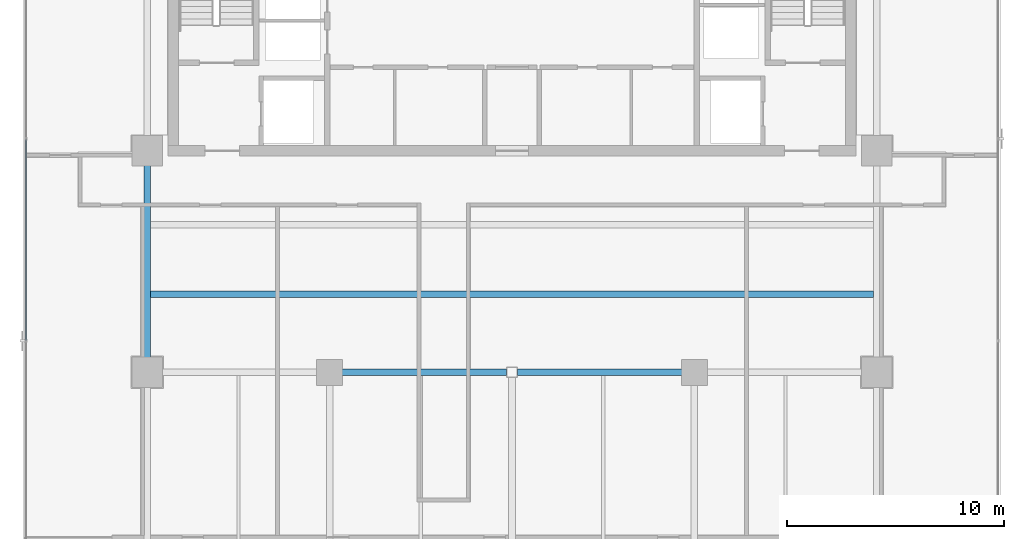
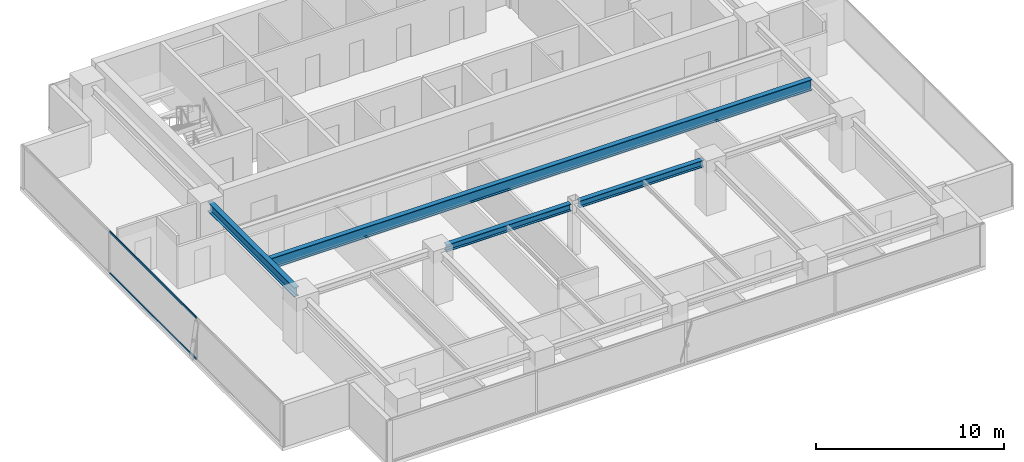
# One storey, part 8 of 26: 4 beams, 2 members, 1 element without a shape of its own.
"""IFC4 building model written with IfcOpenShell, lengths in metres."""

from ifc_helpers import new_model, si_unit, direction, frame, origin, origin_2d, place, context, subcontext, project, spatial, hollow_rectangle, i_section, extrude, source, transform, mapped, material, layer, layer_set, material_profile, profile_set, type_object, element, aggregate, save


model = new_model("IFC4")

# Units and contexts
model_context = context("Model", 3, precision=1e-05, world=origin(), true_north=direction((0.0, 1.0)))
body_context = subcontext(model_context, "Body", "Model", "MODEL_VIEW")
ifc_project = project(units=[si_unit("LENGTHUNIT", "METRE"), si_unit("AREAUNIT", "SQUARE_METRE"), si_unit("VOLUMEUNIT", "CUBIC_METRE"), si_unit("PLANEANGLEUNIT", "RADIAN"), si_unit("MASSUNIT", "GRAM", prefix="KILO")], contexts=[model_context])

# Site, building, storey
site_placement = place(None, origin())
site = spatial("IfcSite", under=ifc_project, at=site_placement, CompositionType="ELEMENT")
building_placement = place(site_placement, origin())
building = spatial("IfcBuilding", under=site, at=building_placement, Name="Sumidabori Civic Tower", CompositionType="ELEMENT")
storey_placement = place(building_placement, frame((0.0, 0.0, 261.199951171875)))
storey = spatial("IfcBuildingStorey", under=building, at=storey_placement, Name="L68", CompositionType="ELEMENT", Elevation=261.199951171875)

# Beams
ifc_material_1 = material(Name="Steel SN490", Category="steel")
ifc_material_profile_1 = material_profile(ifc_material_1, i_section(OverallWidth=0.300048828125, OverallDepth=0.60009765625, WebThickness=0.015380859375, FlangeThickness=0.030029296875, at=origin_2d()), Name="HE 600 B")
ifc_profile_set_1 = profile_set([ifc_material_profile_1], Name="Steel SN490")
beam_type_1 = type_object("IfcBeamType", Name="BM-GIRD-600", PredefinedType="BEAM", material=ifc_profile_set_1)
shared_shape_1 = source(origin(), body_context, "Body", "SweptSolid", [
    extrude(i_section(OverallWidth=0.300048828125, OverallDepth=0.60009765625, WebThickness=0.015380859375, FlangeThickness=0.030029296875, at=origin_2d()), origin(), (0.0, 0.0, 1.0), 9.239990234375),
])
beam_1_placement = place(storey_placement, frame((-16.800048828125, 0.47998046875, 3.070068359375), z_axis=(0.0, 1.0, 0.0), x_axis=(-1.0, 0.0, 0.0)))
element("IfcBeam", 1, at=beam_1_placement, inside=storey, type_object=beam_type_1, Name="Primary Girder L68 GY-10", PredefinedType="BEAM", context=body_context, shape_type="MappedRepresentation", body=[
    mapped(shared_shape_1, transform((0.0, 0.0, 0.0), x_axis=(1.0, 0.0, 0.0), y_axis=(0.0, 1.0, 0.0), z_axis=(0.0, 0.0, 1.0), scale=1.0)),
])
ifc_material_profile_2 = material_profile(ifc_material_1, i_section(OverallWidth=0.300048828125, OverallDepth=0.699951171875, WebThickness=0.01708984375, FlangeThickness=0.031982421875, at=origin_2d()), Name="HE 700 B")
ifc_profile_set_2 = profile_set([ifc_material_profile_2], Name="Steel SN490")
beam_type_2 = type_object("IfcBeamType", Name="BM-GIRD-700", PredefinedType="BEAM", material=ifc_profile_set_2)
shared_shape_2 = source(origin(), body_context, "Body", "SweptSolid", [
    extrude(i_section(OverallWidth=0.300048828125, OverallDepth=0.699951171875, WebThickness=0.01708984375, FlangeThickness=0.031982421875, at=origin_2d()), origin(), (0.0, 0.0, 1.0), 33.2998046875),
])
beam_2_placement = place(storey_placement, frame((-16.64990234375, 3.60009765625, 3.02001953125), z_axis=(1.0, 0.0, 0.0), x_axis=(0.0, 1.0, 0.0)))
element("IfcBeam", 2, at=beam_2_placement, inside=storey, type_object=beam_type_2, Name="North Bay Floor Beam L68 JSTN-18", PredefinedType="BEAM", context=body_context, shape_type="MappedRepresentation", body=[
    mapped(shared_shape_2, transform((0.0, 0.0, 0.0), x_axis=(1.0, 0.0, 0.0), y_axis=(0.0, 1.0, 0.0), z_axis=(0.0, 0.0, 1.0), scale=1.0)),
])
ifc_material_profile_3 = material_profile(ifc_material_1, i_section(OverallWidth=0.300048828125, OverallDepth=0.449951171875, WebThickness=0.013916015625, FlangeThickness=0.02587890625, at=origin_2d()), Name="HE 450 B")
ifc_profile_set_3 = profile_set([ifc_material_profile_3], Name="Steel SN490")
beam_type_3 = type_object("IfcBeamType", Name="BM-GIRD-450", PredefinedType="BEAM", material=ifc_profile_set_3)
shared_shape_3 = source(origin(), body_context, "Body", "SweptSolid", [
    extrude(i_section(OverallWidth=0.300048828125, OverallDepth=0.449951171875, WebThickness=0.013916015625, FlangeThickness=0.02587890625, at=origin_2d()), origin(), (0.0, 0.0, 1.0), 7.669921875),
])
for number, where, z_axis, x_axis, name in (
    (3, (-7.919921875, 0.0, 3.14501953125), (1.0, 0.0, 0.0), (0.0, 1.0, 0.0), "Primary Girder L68 GX-06"),
    (4, (0.25, 0.0, 3.14501953125), (1.0, 0.0, 0.0), (0.0, 1.0, 0.0), "Primary Girder L68 GX-07"),
):
    element("IfcBeam", number, at=place(storey_placement, frame(where, z_axis=z_axis, x_axis=x_axis)), inside=storey, type_object=beam_type_3, Name=name, PredefinedType="BEAM", context=body_context, shape_type="MappedRepresentation", body=[
        mapped(shared_shape_3, transform((0.0, 0.0, 0.0), x_axis=(1.0, 0.0, 0.0), y_axis=(0.0, 1.0, 0.0), z_axis=(0.0, 0.0, 1.0), scale=1.0)),
    ])

# Curtain wall, members
ifc_material_2 = material(Name="Anodised Bronze Aluminium AW-6063-T6", Category="aluminium")
ifc_layer = layer(ifc_material_2, 0.179931640625, Name="Anodised Bronze Aluminium AW-6063-T6")
ifc_layer_set = layer_set([ifc_layer], Name="Anodised Bronze Aluminium AW-6063-T6")
curtain_wall_type = type_object("IfcCurtainWallType", Name="CW-SYS-5", PredefinedType="NOTDEFINED", material=ifc_layer_set)
curtain_wall_placement = place(storey_placement, origin())
curtain_wall = element("IfcCurtainWall", 5, at=curtain_wall_placement, inside=storey, type_object=curtain_wall_type, Name="Curtain Wall CW:L68:R10", PredefinedType="NOTDEFINED")
ifc_material_profile_4 = material_profile(ifc_material_2, hollow_rectangle(XDim=0.06005859375, YDim=0.1298828125, WallThickness=0.0048828125, at=origin_2d()), Name="ALU TRANSOM 130x60")
ifc_profile_set_4 = profile_set([ifc_material_profile_4], Name="Anodised Bronze Aluminium AW-6063-T6")
member_type = type_object("IfcMemberType", Name="CW-TRN-130", PredefinedType="USERDEFINED", material=ifc_profile_set_4)
shared_shape_4 = source(origin(), body_context, "Body", "SweptSolid", [
    extrude(hollow_rectangle(XDim=0.06005859375, YDim=0.1298828125, WallThickness=0.0048828125, at=origin_2d()), origin(), (0.0, 0.0, 1.0), 9.253173828125),
])
member_1_placement = place(storey_placement, frame((-22.3798828125, 10.7265625, 0.030029296875), z_axis=(0.0, -1.0, 0.0), x_axis=(1.0, 0.0, 0.0)))
member_1 = element("IfcMember", 6, at=member_1_placement, type_object=member_type, Name="CW-5 transom 2.1", ObjectType="TRANSOM", PredefinedType="USERDEFINED", context=body_context, shape_type="MappedRepresentation", body=[
    mapped(shared_shape_4, transform((0.0, 0.0, 0.0), x_axis=(1.0, 0.0, 0.0), y_axis=(0.0, 1.0, 0.0), z_axis=(0.0, 0.0, 1.0), scale=1.0)),
])
member_2_placement = place(storey_placement, frame((-22.3798828125, 10.7265625, 2.719970703125), z_axis=(0.0, -1.0, 0.0), x_axis=(1.0, 0.0, 0.0)))
member_2 = element("IfcMember", 7, at=member_2_placement, type_object=member_type, Name="CW-5 transom 2.2", ObjectType="TRANSOM", PredefinedType="USERDEFINED", context=body_context, shape_type="MappedRepresentation", body=[
    mapped(shared_shape_4, transform((0.0, 0.0, 0.0), x_axis=(1.0, 0.0, 0.0), y_axis=(0.0, 1.0, 0.0), z_axis=(0.0, 0.0, 1.0), scale=1.0)),
])
aggregate(curtain_wall, [member_1, member_2])

save(model, "model.ifc")
